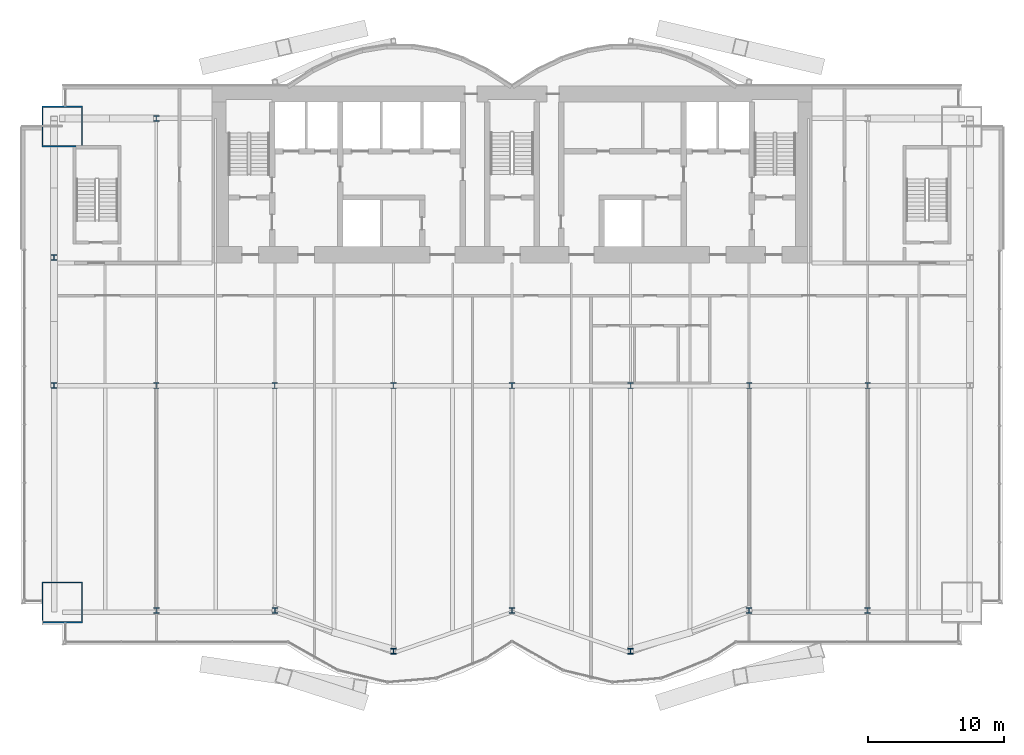
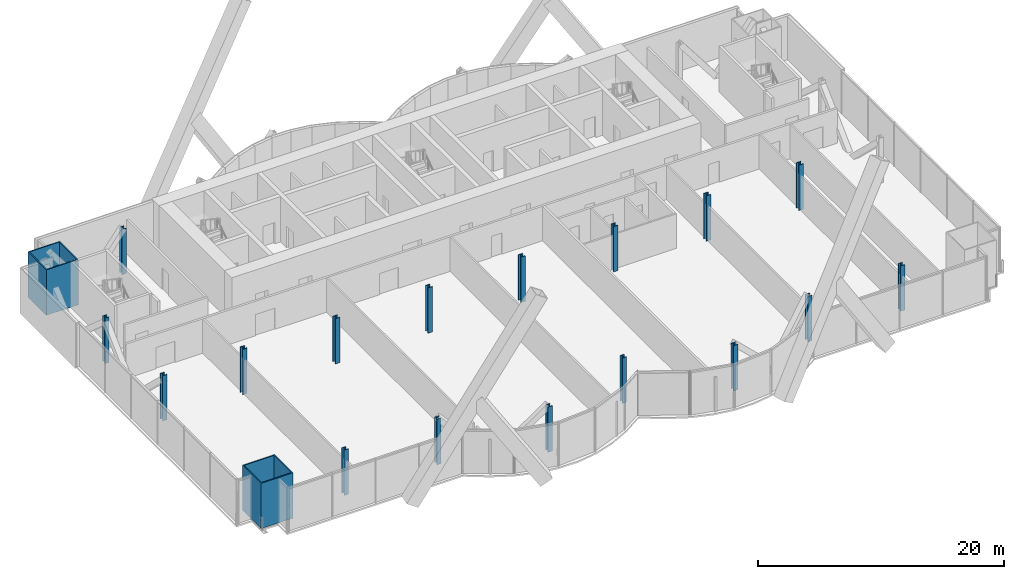
# One storey, part 1 of 23: 19 columns.
"""IFC4 building model written with IfcOpenShell, lengths in metres."""

from ifc_helpers import new_model, si_unit, direction, frame, origin, origin_2d, place, context, subcontext, project, spatial, hollow_rectangle, i_section, extrude, material, material_profile, profile_set, type_object, element, save


model = new_model("IFC4")

# Units and contexts
model_context = context("Model", 3, precision=1e-05, world=origin(), true_north=direction((0.0, 1.0)))
body_context = subcontext(model_context, "Body", "Model", "MODEL_VIEW")
ifc_project = project(units=[si_unit("LENGTHUNIT", "METRE"), si_unit("AREAUNIT", "SQUARE_METRE"), si_unit("VOLUMEUNIT", "CUBIC_METRE"), si_unit("PLANEANGLEUNIT", "RADIAN"), si_unit("MASSUNIT", "GRAM", prefix="KILO")], contexts=[model_context])

# Site, building, storey
site_placement = place(None, origin())
site = spatial("IfcSite", under=ifc_project, at=site_placement, CompositionType="ELEMENT")
building_placement = place(site_placement, origin())
building = spatial("IfcBuilding", under=site, at=building_placement, Name="Bicima Exchange Tower", CompositionType="ELEMENT")
storey_placement = place(building_placement, frame((0.0, 0.0, 53.0)))
storey = spatial("IfcBuildingStorey", under=building, at=storey_placement, Name="L10", CompositionType="ELEMENT", Elevation=53.0)

# Columns
ifc_material_1 = material(Name="Steel ASTM A992 Gr 50", Category="steel")
ifc_material_profile_1 = material_profile(ifc_material_1, i_section(OverallWidth=0.419189453125, OverallDepth=0.45458984375, WebThickness=0.042236328125, FlangeThickness=0.067626953125, at=origin_2d()))
ifc_profile_set_1 = profile_set([ifc_material_profile_1], Name="Steel ASTM A992 Gr 50")
column_type_1 = type_object("IfcColumnType", Name="Interior column W14x370", PredefinedType="COLUMN", material=ifc_profile_set_1)
for number, where, z_axis, x_axis, name in (
    (1, (-26.10009765625, -22.0, 0.0), (0.0, 0.0, 1.0), (1.0, 0.0, 0.0), "Interior column interior-26.1i"),
    (2, (-17.39990234375, -22.0, 0.0), (0.0, 0.0, 1.0), (1.0, 0.0, 0.0), "Interior column interior-17.4i"),
    (3, (-8.699951171875, -22.0, 0.0), (0.0, 0.0, 1.0), (1.0, 0.0, 0.0), "Interior column interior-8.7i"),
    (4, (0.0, -22.0, 0.0), (0.0, 0.0, 1.0), (1.0, 0.0, 0.0), "Interior column interior+0.0i"),
    (5, (8.699951171875, -22.0, 0.0), (0.0, 0.0, 1.0), (1.0, 0.0, 0.0), "Interior column interior+8.7i"),
    (6, (17.39990234375, -22.0, 0.0), (0.0, 0.0, 1.0), (1.0, 0.0, 0.0), "Interior column interior+17.4i"),
    (7, (26.10009765625, -22.0, 0.0), (0.0, 0.0, 1.0), (1.0, 0.0, 0.0), "Interior column interior+26.1i"),
):
    element("IfcColumn", number, at=place(storey_placement, frame(where, z_axis=z_axis, x_axis=x_axis)), inside=storey, type_object=column_type_1, Name=name, PredefinedType="COLUMN", context=body_context, shape_type="SweptSolid", body=[
        extrude(i_section(OverallWidth=0.419189453125, OverallDepth=0.45458984375, WebThickness=0.042236328125, FlangeThickness=0.067626953125, at=origin_2d()), origin(), (0.0, 0.0, 1.0), 4.5),
    ])
ifc_material_2 = material(Name="Steel ASTM A572 Gr 50", Category="steel")
ifc_material_profile_2 = material_profile(ifc_material_2, hollow_rectangle(XDim=3.0, YDim=3.0, WallThickness=0.10009765625, at=origin_2d()))
ifc_profile_set_2 = profile_set([ifc_material_profile_2], Name="Steel ASTM A572 Gr 50")
column_type_2 = type_object("IfcColumnType", Name="Mega column BOX 3000x3000x100", PredefinedType="COLUMN", material=ifc_profile_set_2)
for number, where, z_axis, x_axis, name in (
    (8, (-33.0, -37.902099609375, 0.0), (0.0, 0.0, 1.0), (1.0, 0.0, 0.0), "Mega column mega-33.0f"),
    (9, (-33.0, -3.0, 0.0), (0.0, 0.0, 1.0), (1.0, 0.0, 0.0), "Mega column mega-33.0r"),
):
    element("IfcColumn", number, at=place(storey_placement, frame(where, z_axis=z_axis, x_axis=x_axis)), inside=storey, type_object=column_type_2, Name=name, PredefinedType="COLUMN", context=body_context, shape_type="SweptSolid", body=[
        extrude(hollow_rectangle(XDim=3.0, YDim=3.0, WallThickness=0.10009765625, at=origin_2d()), origin(), (0.0, 0.0, 1.0), 4.5),
    ])
ifc_material_profile_3 = material_profile(ifc_material_1, i_section(OverallWidth=0.406494140625, OverallDepth=0.41650390625, WebThickness=0.030029296875, FlangeThickness=0.048095703125, at=origin_2d()))
ifc_profile_set_3 = profile_set([ifc_material_profile_3], Name="Steel ASTM A992 Gr 50")
column_type_3 = type_object("IfcColumnType", Name="Perimeter column W14x257", PredefinedType="COLUMN", material=ifc_profile_set_3)
for number, where, z_axis, x_axis, name in (
    (10, (-26.10009765625, -38.501953125, 0.0), (0.0, 0.0, 1.0), (1.0, 0.0, 0.0), "Perimeter column grav-26.1f"),
    (11, (-26.10009765625, -2.39990234375, 0.0), (0.0, 0.0, 1.0), (1.0, 0.0, 0.0), "Perimeter column grav-26.1r"),
    (12, (-17.39990234375, -38.501953125, 0.0), (0.0, 0.0, 1.0), (1.0, 0.0, 0.0), "Perimeter column grav-17.4f"),
    (13, (-8.699951171875, -41.4931640625, 0.0), (0.0, 0.0, 1.0), (1.0, 0.0, 0.0), "Perimeter column grav-8.7f"),
    (14, (0.0, -38.501953125, 0.0), (0.0, 0.0, 1.0), (1.0, 0.0, 0.0), "Perimeter column grav-0.0f"),
    (15, (8.699951171875, -41.4931640625, 0.0), (0.0, 0.0, 1.0), (1.0, 0.0, 0.0), "Perimeter column grav+8.7f"),
    (16, (17.39990234375, -38.501953125, 0.0), (0.0, 0.0, 1.0), (1.0, 0.0, 0.0), "Perimeter column grav+17.4f"),
    (17, (26.10009765625, -38.501953125, 0.0), (0.0, 0.0, 1.0), (1.0, 0.0, 0.0), "Perimeter column grav+26.1f"),
    (18, (-33.60009765625, -12.60009765625, 0.0), (0.0, 0.0, 1.0), (1.0, 0.0, 0.0), "End column end-33.6e"),
    (19, (-33.60009765625, -22.0, 0.0), (0.0, 0.0, 1.0), (1.0, 0.0, 0.0), "End column end-33.6e"),
):
    element("IfcColumn", number, at=place(storey_placement, frame(where, z_axis=z_axis, x_axis=x_axis)), inside=storey, type_object=column_type_3, Name=name, PredefinedType="COLUMN", context=body_context, shape_type="SweptSolid", body=[
        extrude(i_section(OverallWidth=0.406494140625, OverallDepth=0.41650390625, WebThickness=0.030029296875, FlangeThickness=0.048095703125, at=origin_2d()), origin(), (0.0, 0.0, 1.0), 4.5),
    ])

save(model, "model.ifc")
